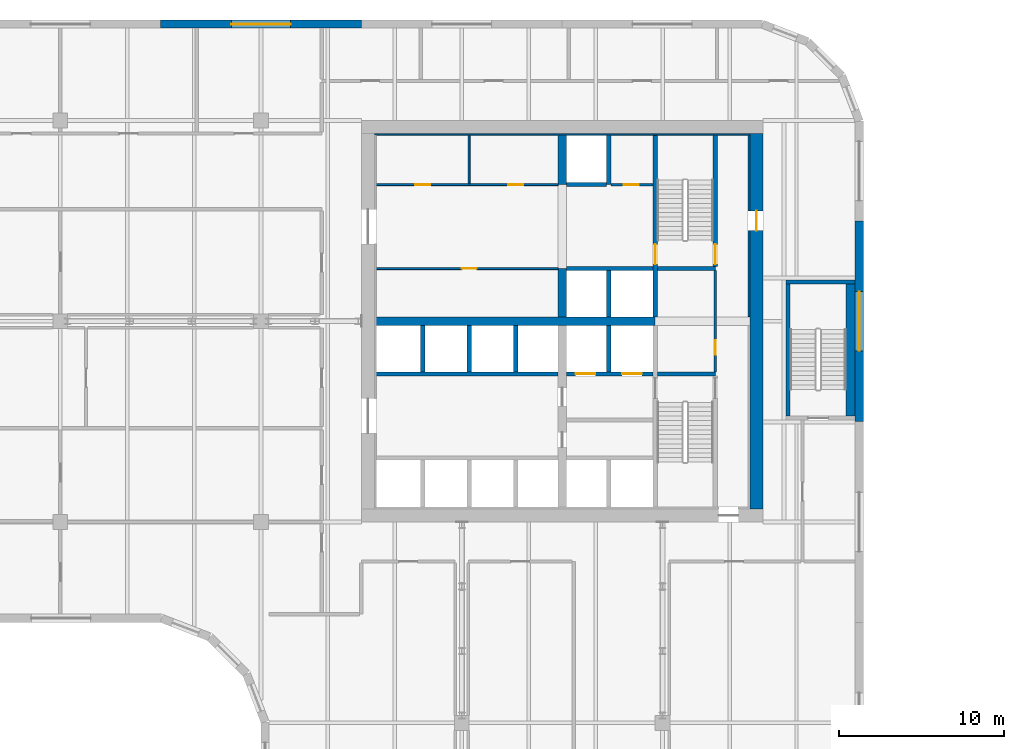
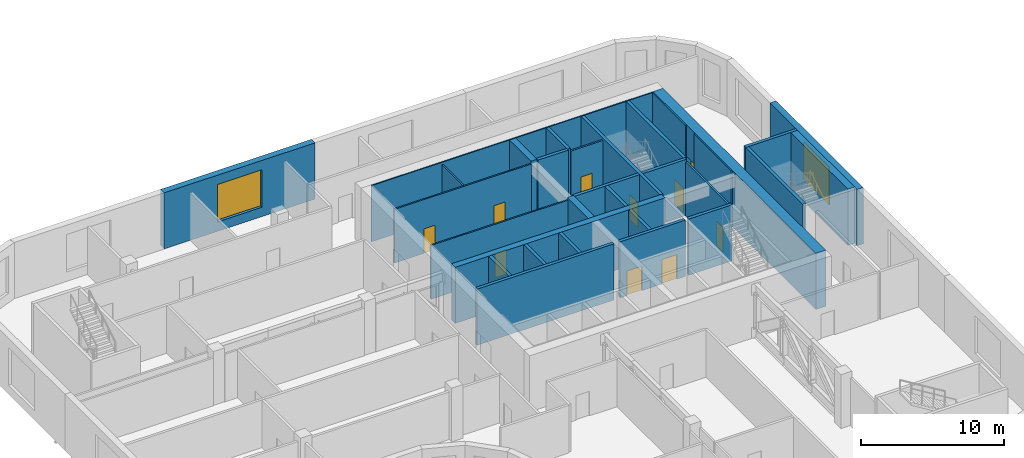
# One storey, part 12 of 21: 31 walls, 10 doors, 2 windows, 12 openings.
"""IFC4 building model written with IfcOpenShell, lengths in metres."""

from ifc_helpers import new_model, si_unit, direction, frame, frame_2d, origin, place, context, subcontext, project, spatial, polyline, rectangle, outline, extrude, source, transform, mapped, material, layer, layer_set, type_object, element, fill, save


model = new_model("IFC4")

# Units and contexts
model_context = context("Model", 3, precision=1e-05, world=origin(), true_north=direction((0.0, 1.0)))
body_context = subcontext(model_context, "Body", "Model", "MODEL_VIEW")
ifc_project = project(units=[si_unit("LENGTHUNIT", "METRE"), si_unit("AREAUNIT", "SQUARE_METRE"), si_unit("VOLUMEUNIT", "CUBIC_METRE"), si_unit("PLANEANGLEUNIT", "RADIAN"), si_unit("MASSUNIT", "GRAM", prefix="KILO")], contexts=[model_context])

# Site, building, storey
site_placement = place(None, origin())
site = spatial("IfcSite", under=ifc_project, at=site_placement, CompositionType="ELEMENT")
building_placement = place(site_placement, origin())
building = spatial("IfcBuilding", under=site, at=building_placement, Name="Tessera Gate Towers", CompositionType="ELEMENT")
storey_placement = place(building_placement, frame((0.0, 0.0, 63.800048828125)))
storey = spatial("IfcBuildingStorey", under=building, at=storey_placement, Name="L15", CompositionType="ELEMENT", Elevation=63.800048828125)

# Wall, opening, door
ifc_material_1 = material(Name="Concrete C40/50", Category="concrete")
ifc_layer_1 = layer(ifc_material_1, 0.25)
ifc_layer_set_1 = layer_set([ifc_layer_1], Name="CORE ENCLOSURE WALL 250")
wall_type_1 = type_object("IfcWallType", Name="CORE ENCLOSURE WALL 250", PredefinedType="SOLIDWALL", material=ifc_layer_set_1)
wall_1_placement = place(storey_placement, frame((48.35009765625, 47.89990234375, 0.0), z_axis=(0.0, 0.0, 1.0), x_axis=(0.0, -1.0, 0.0)))
wall_1 = element("IfcWall", 1, at=wall_1_placement, inside=storey, type_object=wall_type_1, Name="L15 shaft and stair enclosure wall", PredefinedType="SOLIDWALL", context=body_context, shape_type="SweptSolid", body=[
    extrude(rectangle(XDim=11.0498046875, YDim=0.25, at=frame_2d((5.52490234375, 0.0))), origin(), (0.0, 0.0, 1.0), 4.800048828125),
])
shared_shape_1 = source(origin(), body_context, "Body", "SweptSolid", [
    extrude(rectangle(XDim=1.199951171875, YDim=2.10009765625, at=frame_2d((0.60009765625, 1.050048828125))), frame((0.0, 0.135009765625, 0.0), z_axis=(0.0, -1.0, 0.0), x_axis=(1.0, 0.0, 0.0)), (0.0, 0.0, 1.0), 0.27001953125),
])
opening_1_placement = place(wall_1_placement, frame((6.625, 0.0, 0.0)))
opening_1 = element("IfcOpeningElement", 2, at=opening_1_placement, cuts=wall_1, Name="Opening SD-ST2-1", PredefinedType="OPENING", context=body_context, shape_type="MappedRepresentation", body=[
    mapped(shared_shape_1, transform((0.0, 0.0, 0.0), scale=1.0)),
])
ifc_material_2 = material(Name="Hollow steel fire door", Category="steel")
door_type_1 = type_object("IfcDoorType", Name="CORE DOOR SD 1200x2100", OperationType="NOTDEFINED", PredefinedType="DOOR", material=ifc_material_2)
shared_shape_2 = source(origin(), body_context, "Body", "SweptSolid", [
    extrude(rectangle(XDim=1.199951171875, YDim=2.10009765625, at=frame_2d((0.60009765625, 1.050048828125))), frame((0.0, 0.02490234375, 0.0), z_axis=(0.0, -1.0, 0.0), x_axis=(1.0, 0.0, 0.0)), (0.0, 0.0, 1.0), 0.050048828125),
])
door_1_placement = place(opening_1_placement, origin())
door_1 = element("IfcDoor", 3, at=door_1_placement, inside=storey, type_object=door_type_1, Name="Stair door", OperationType="SINGLE_SWING_RIGHT", OverallHeight=2.10009765625, OverallWidth=1.199951171875, PredefinedType="DOOR", context=body_context, shape_type="MappedRepresentation", body=[
    mapped(shared_shape_2, transform((0.0, 0.0, 0.0), scale=1.0)),
])
fill(opening_1, door_1)

# Wall
wall_2_placement = place(storey_placement, frame((31.39990234375, 33.39990234375, 0.0), z_axis=(0.0, 0.0, 1.0), x_axis=(1.0, 0.0, 0.0)))
element("IfcWall", 4, at=wall_2_placement, inside=storey, type_object=wall_type_1, Name="L15 shaft and stair enclosure wall", PredefinedType="SOLIDWALL", context=body_context, shape_type="SweptSolid", body=[
    extrude(rectangle(XDim=11.050048828125, YDim=0.25, at=frame_2d((5.52490234375, 0.0))), origin(), (0.0, 0.0, 1.0), 4.800048828125),
])

# Wall, openings, doors
wall_3_placement = place(storey_placement, frame((48.22509765625, 33.39990234375, 0.0), z_axis=(0.0, 0.0, 1.0), x_axis=(-1.0, 0.0, 0.0)))
wall_3 = element("IfcWall", 5, at=wall_3_placement, inside=storey, type_object=wall_type_1, Name="L15 shaft and stair enclosure wall", PredefinedType="SOLIDWALL", context=body_context, shape_type="SweptSolid", body=[
    extrude(rectangle(XDim=5.275146484375, YDim=0.25, at=frame_2d((2.6376953125, 0.0))), origin(), (0.0, 0.0, 1.0), 4.800048828125),
])
opening_2_placement = place(wall_3_placement, frame((3.512451171875, 0.0, 0.0)))
opening_2 = element("IfcOpeningElement", 6, at=opening_2_placement, cuts=wall_3, Name="Opening LD-FF1", PredefinedType="OPENING", context=body_context, shape_type="MappedRepresentation", body=[
    mapped(shared_shape_1, transform((0.0, 0.0, 0.0), scale=1.0)),
])
opening_3_placement = place(wall_3_placement, frame((0.6875, 0.0, 0.0)))
opening_3 = element("IfcOpeningElement", 7, at=opening_3_placement, cuts=wall_3, Name="Opening LD-FF2", PredefinedType="OPENING", context=body_context, shape_type="MappedRepresentation", body=[
    mapped(shared_shape_1, transform((0.0, 0.0, 0.0), scale=1.0)),
])
ifc_material_3 = material(Name="Stainless steel", Category="steel")
door_type_2 = type_object("IfcDoorType", Name="CORE DOOR LD1200 1200x2100", OperationType="DOUBLE_DOOR_SLIDING", PredefinedType="DOOR", material=ifc_material_3)
door_2_placement = place(opening_2_placement, origin())
door_2 = element("IfcDoor", 8, at=door_2_placement, inside=storey, type_object=door_type_2, Name="Landing door FF1 L15", OperationType="DOUBLE_DOOR_SLIDING", OverallHeight=2.10009765625, OverallWidth=1.199951171875, PredefinedType="DOOR", context=body_context, shape_type="MappedRepresentation", body=[
    mapped(shared_shape_2, transform((0.0, 0.0, 0.0), scale=1.0)),
])
fill(opening_2, door_2)
door_3_placement = place(opening_3_placement, origin())
door_3 = element("IfcDoor", 9, at=door_3_placement, inside=storey, type_object=door_type_2, Name="Landing door FF2 L15", OperationType="DOUBLE_DOOR_SLIDING", OverallHeight=2.10009765625, OverallWidth=1.199951171875, PredefinedType="DOOR", context=body_context, shape_type="MappedRepresentation", body=[
    mapped(shared_shape_2, transform((0.0, 0.0, 0.0), scale=1.0)),
])
fill(opening_3, door_3)

# Walls
wall_4_placement = place(storey_placement, frame((48.47509765625, 33.39990234375, 0.0), z_axis=(0.0, 0.0, 1.0), x_axis=(1.0, 0.0, 0.0)))
element("IfcWall", 10, at=wall_4_placement, inside=storey, type_object=wall_type_1, Name="L15 shaft and stair enclosure wall", PredefinedType="SOLIDWALL", context=body_context, shape_type="SweptSolid", body=[
    extrude(rectangle(XDim=3.52490234375, YDim=0.25, at=frame_2d((1.762451171875, 0.0))), origin(), (0.0, 0.0, 1.0), 4.800048828125),
])
wall_5_placement = place(storey_placement, frame((42.949951171875, 39.800048828125, 0.0), z_axis=(0.0, 0.0, 1.0), x_axis=(1.0, 0.0, 0.0)))
element("IfcWall", 11, at=wall_5_placement, inside=storey, type_object=wall_type_1, Name="L15 shaft and stair enclosure wall", PredefinedType="SOLIDWALL", context=body_context, shape_type="SweptSolid", body=[
    extrude(rectangle(XDim=5.275146484375, YDim=0.25, at=frame_2d((2.6376953125, 0.0))), origin(), (0.0, 0.0, 1.0), 4.800048828125),
])
wall_6_placement = place(storey_placement, frame((48.47509765625, 39.800048828125, 0.0), z_axis=(0.0, 0.0, 1.0), x_axis=(1.0, 0.0, 0.0)))
element("IfcWall", 12, at=wall_6_placement, inside=storey, type_object=wall_type_1, Name="L15 shaft and stair enclosure wall", PredefinedType="SOLIDWALL", context=body_context, shape_type="SweptSolid", body=[
    extrude(rectangle(XDim=3.52490234375, YDim=0.25, at=frame_2d((1.762451171875, 0.0))), origin(), (0.0, 0.0, 1.0), 4.800048828125),
])

# Wall, opening, door
wall_7_placement = place(storey_placement, frame((52.0, 39.925048828125, 0.0), z_axis=(0.0, 0.0, 1.0), x_axis=(0.0, 1.0, 0.0)))
wall_7 = element("IfcWall", 13, at=wall_7_placement, inside=storey, type_object=wall_type_1, Name="L15 shaft and stair enclosure wall", PredefinedType="SOLIDWALL", context=body_context, shape_type="SweptSolid", body=[
    extrude(rectangle(XDim=7.974853515625, YDim=0.25, at=frame_2d((3.9873046875, 0.0))), origin(), (0.0, 0.0, 1.0), 4.800048828125),
])
opening_4_placement = place(wall_7_placement, frame((0.14990234375, 0.0, 0.0)))
opening_4 = element("IfcOpeningElement", 14, at=opening_4_placement, cuts=wall_7, Name="Opening SD-ST2-2", PredefinedType="OPENING", context=body_context, shape_type="MappedRepresentation", body=[
    mapped(shared_shape_1, transform((0.0, 0.0, 0.0), scale=1.0)),
])
door_4_placement = place(opening_4_placement, origin())
door_4 = element("IfcDoor", 15, at=door_4_placement, inside=storey, type_object=door_type_1, Name="Stair door", OperationType="SINGLE_SWING_LEFT", OverallHeight=2.10009765625, OverallWidth=1.199951171875, PredefinedType="DOOR", context=body_context, shape_type="MappedRepresentation", body=[
    mapped(shared_shape_2, transform((0.0, 0.0, 0.0), scale=1.0)),
])
fill(opening_4, door_4)

# Walls
wall_8_placement = place(storey_placement, frame((45.52490234375, 33.52490234375, 0.0), z_axis=(0.0, 0.0, 1.0), x_axis=(0.0, 1.0, 0.0)))
element("IfcWall", 16, at=wall_8_placement, inside=storey, type_object=wall_type_1, Name="L15 shaft and stair enclosure wall", PredefinedType="SOLIDWALL", context=body_context, shape_type="SweptSolid", body=[
    extrude(rectangle(XDim=2.8251953125, YDim=0.25, at=frame_2d((1.41259765625, 0.0))), origin(), (0.0, 0.0, 1.0), 4.800048828125),
])
wall_9_placement = place(storey_placement, frame((45.52490234375, 36.85009765625, 0.0), z_axis=(0.0, 0.0, 1.0), x_axis=(0.0, 1.0, 0.0)))
element("IfcWall", 17, at=wall_9_placement, inside=storey, type_object=wall_type_1, Name="L15 shaft and stair enclosure wall", PredefinedType="SOLIDWALL", context=body_context, shape_type="SweptSolid", body=[
    extrude(rectangle(XDim=2.824951171875, YDim=0.25, at=frame_2d((1.41259765625, 0.0))), origin(), (0.0, 0.0, 1.0), 4.800048828125),
])
for number, where, z_axis, x_axis, name in (
    (18, (34.22509765625, 33.52490234375, 0.0), (0.0, 0.0, 1.0), (0.0, 1.0, 0.0), "L15 shaft and stair enclosure wall"),
    (19, (37.050048828125, 33.52490234375, 0.0), (0.0, 0.0, 1.0), (0.0, 1.0, 0.0), "L15 shaft and stair enclosure wall"),
    (20, (39.875, 33.52490234375, 0.0), (0.0, 0.0, 1.0), (0.0, 1.0, 0.0), "L15 shaft and stair enclosure wall"),
):
    element("IfcWall", number, at=place(storey_placement, frame(where, z_axis=z_axis, x_axis=x_axis)), inside=storey, type_object=wall_type_1, Name=name, PredefinedType="SOLIDWALL", context=body_context, shape_type="SweptSolid", body=[
        extrude(rectangle(XDim=2.8251953125, YDim=0.25, at=frame_2d((1.41259765625, 0.0))), origin(), (0.0, 0.0, 1.0), 4.800048828125),
    ])
wall_10_placement = place(storey_placement, frame((45.52490234375, 44.89990234375, 0.0), z_axis=(0.0, 0.0, 1.0), x_axis=(0.0, 1.0, 0.0)))
element("IfcWall", 21, at=wall_10_placement, inside=storey, type_object=wall_type_1, Name="L15 shaft and stair enclosure wall", PredefinedType="SOLIDWALL", context=body_context, shape_type="SweptSolid", body=[
    extrude(rectangle(XDim=3.0, YDim=0.25, at=frame_2d((1.5, 0.0))), origin(), (0.0, 0.0, 1.0), 4.800048828125),
])
wall_11_placement = place(storey_placement, frame((42.949951171875, 44.89990234375, 0.0), z_axis=(0.0, 0.0, 1.0), x_axis=(1.0, 0.0, 0.0)))
element("IfcWall", 22, at=wall_11_placement, inside=storey, type_object=wall_type_1, Name="L15 shaft and stair enclosure wall", PredefinedType="SOLIDWALL", context=body_context, shape_type="SweptSolid", body=[
    extrude(rectangle(XDim=2.449951171875, YDim=0.25, at=frame_2d((1.22509765625, 0.0))), origin(), (0.0, 0.0, 1.0), 4.800048828125),
])
wall_12_placement = place(storey_placement, frame((56.425048828125, 30.85009765625, 0.0), z_axis=(0.0, 0.0, 1.0), x_axis=(0.0, 1.0, 0.0)))
element("IfcWall", 23, at=wall_12_placement, inside=storey, type_object=wall_type_1, Name="L15 ST5 enclosure wall", PredefinedType="SOLIDWALL", context=body_context, shape_type="SweptSolid", body=[
    extrude(rectangle(XDim=8.0, YDim=0.25, at=frame_2d((4.0, 0.0))), origin(), (0.0, 0.0, 1.0), 4.800048828125),
])
wall_13_placement = place(storey_placement, frame((56.300048828125, 38.97509765625, 0.0), z_axis=(0.0, 0.0, 1.0), x_axis=(1.0, 0.0, 0.0)))
element("IfcWall", 24, at=wall_13_placement, inside=storey, type_object=wall_type_1, Name="L15 ST5 enclosure wall", PredefinedType="SOLIDWALL", context=body_context, shape_type="SweptSolid", body=[
    extrude(rectangle(XDim=4.199951171875, YDim=0.25, at=frame_2d((2.10009765625, 0.0))), origin(), (0.0, 0.0, 1.0), 4.800048828125),
])
ifc_material_4 = material(Name="Concrete C40/50", Category="concrete")
ifc_layer_2 = layer(ifc_material_4, 0.550048828125)
ifc_layer_set_2 = layer_set([ifc_layer_2], Name="CORE ENCLOSURE WALL 550")
wall_type_2 = type_object("IfcWallType", Name="CORE ENCLOSURE WALL 550", PredefinedType="SOLIDWALL", material=ifc_layer_set_2)
wall_14_placement = place(storey_placement, frame((60.22509765625, 38.85009765625, 0.0), z_axis=(0.0, 0.0, 1.0), x_axis=(0.0, -1.0, 0.0)))
element("IfcWall", 25, at=wall_14_placement, inside=storey, type_object=wall_type_2, Name="L15 ST5 enclosure wall", PredefinedType="SOLIDWALL", context=body_context, shape_type="SweptSolid", body=[
    extrude(rectangle(XDim=8.0, YDim=0.550048828125, at=frame_2d((4.0, 0.0))), origin(), (0.0, 0.0, 1.0), 4.800048828125),
])

# Wall, opening, door
ifc_material_5 = material(Name="Gypsum board on steel studs", Category="steel")
ifc_layer_3 = layer(ifc_material_5, 0.1201171875)
ifc_layer_set_3 = layer_set([ifc_layer_3], Name="CORE PARTITION 120")
wall_type_3 = type_object("IfcWallType", Name="CORE PARTITION 120", PredefinedType="PARTITIONING", material=ifc_layer_set_3)
wall_15_placement = place(storey_placement, frame((42.449951171875, 39.800048828125, 0.0), z_axis=(0.0, 0.0, 1.0), x_axis=(-1.0, 0.0, 0.0)))
wall_15 = element("IfcWall", 26, at=wall_15_placement, inside=storey, type_object=wall_type_3, Name="L15 core partition", PredefinedType="PARTITIONING", context=body_context, shape_type="SweptSolid", body=[
    extrude(rectangle(XDim=11.050048828125, YDim=0.1201171875, at=frame_2d((5.52490234375, 0.0))), origin(), (0.0, 0.0, 1.0), 4.599853515625),
])
shared_shape_3 = source(origin(), body_context, "Body", "SweptSolid", [
    extrude(rectangle(XDim=0.89990234375, YDim=2.10009765625, at=frame_2d((0.449951171875, 1.050048828125))), frame((0.0, 0.070068359375, 0.0), z_axis=(0.0, -1.0, 0.0), x_axis=(1.0, 0.0, 0.0)), (0.0, 0.0, 1.0), 0.14013671875),
])
opening_5_placement = place(wall_15_placement, frame((4.949951171875, 0.0, 0.0)))
opening_5 = element("IfcOpeningElement", 27, at=opening_5_placement, cuts=wall_15, Name="Opening RD-T1-11-07", PredefinedType="OPENING", context=body_context, shape_type="MappedRepresentation", body=[
    mapped(shared_shape_3, transform((0.0, 0.0, 0.0), scale=1.0)),
])
ifc_material_6 = material(Name="Hollow steel fire door", Category="steel")
door_type_3 = type_object("IfcDoorType", Name="CORE DOOR RD 900x2100", OperationType="NOTDEFINED", PredefinedType="DOOR", material=ifc_material_6)
shared_shape_4 = source(origin(), body_context, "Body", "SweptSolid", [
    extrude(rectangle(XDim=0.89990234375, YDim=2.10009765625, at=frame_2d((0.449951171875, 1.050048828125))), frame((0.0, 0.02490234375, 0.0), z_axis=(0.0, -1.0, 0.0), x_axis=(1.0, 0.0, 0.0)), (0.0, 0.0, 1.0), 0.050048828125),
])
door_5_placement = place(opening_5_placement, origin())
door_5 = element("IfcDoor", 28, at=door_5_placement, inside=storey, type_object=door_type_3, Name="Core room door", OperationType="SINGLE_SWING_LEFT", OverallHeight=2.10009765625, OverallWidth=0.89990234375, PredefinedType="DOOR", context=body_context, shape_type="MappedRepresentation", body=[
    mapped(shared_shape_4, transform((0.0, 0.0, 0.0), scale=1.0)),
])
fill(opening_5, door_5)

# Wall, openings, doors
wall_16_placement = place(storey_placement, frame((31.39990234375, 44.89990234375, 0.0), z_axis=(0.0, 0.0, 1.0), x_axis=(1.0, 0.0, 0.0)))
wall_16 = element("IfcWall", 29, at=wall_16_placement, inside=storey, type_object=wall_type_3, Name="L15 core partition", PredefinedType="PARTITIONING", context=body_context, shape_type="SweptSolid", body=[
    extrude(rectangle(XDim=11.050048828125, YDim=0.1201171875, at=frame_2d((5.52490234375, 0.0))), origin(), (0.0, 0.0, 1.0), 4.599853515625),
])
opening_6_placement = place(wall_16_placement, frame((2.375, 0.0, 0.0)))
opening_6 = element("IfcOpeningElement", 30, at=opening_6_placement, cuts=wall_16, Name="Opening RD-T1-11-08", PredefinedType="OPENING", context=body_context, shape_type="MappedRepresentation", body=[
    mapped(shared_shape_3, transform((0.0, 0.0, 0.0), scale=1.0)),
])
opening_7_placement = place(wall_16_placement, frame((8.02490234375, 0.0, 0.0)))
opening_7 = element("IfcOpeningElement", 31, at=opening_7_placement, cuts=wall_16, Name="Opening RD-T1-11-09", PredefinedType="OPENING", context=body_context, shape_type="MappedRepresentation", body=[
    mapped(shared_shape_3, transform((0.0, 0.0, 0.0), scale=1.0)),
])
door_6_placement = place(opening_6_placement, origin())
door_6 = element("IfcDoor", 32, at=door_6_placement, inside=storey, type_object=door_type_3, Name="Core room door", OperationType="SINGLE_SWING_LEFT", OverallHeight=2.10009765625, OverallWidth=0.89990234375, PredefinedType="DOOR", context=body_context, shape_type="MappedRepresentation", body=[
    mapped(shared_shape_4, transform((0.0, 0.0, 0.0), scale=1.0)),
])
fill(opening_6, door_6)
door_7_placement = place(opening_7_placement, origin())
door_7 = element("IfcDoor", 33, at=door_7_placement, inside=storey, type_object=door_type_3, Name="Core room door", OperationType="SINGLE_SWING_RIGHT", OverallHeight=2.10009765625, OverallWidth=0.89990234375, PredefinedType="DOOR", context=body_context, shape_type="MappedRepresentation", body=[
    mapped(shared_shape_4, transform((0.0, 0.0, 0.0), scale=1.0)),
])
fill(opening_7, door_7)

# Wall
wall_17_placement = place(storey_placement, frame((37.050048828125, 44.9599609375, 0.0), z_axis=(0.0, 0.0, 1.0), x_axis=(0.0, 1.0, 0.0)))
element("IfcWall", 34, at=wall_17_placement, inside=storey, type_object=wall_type_3, Name="L15 core partition", PredefinedType="PARTITIONING", context=body_context, shape_type="SweptSolid", body=[
    extrude(rectangle(XDim=2.93994140625, YDim=0.1201171875, at=frame_2d((1.469970703125, 0.0))), origin(), (0.0, 0.0, 1.0), 4.599853515625),
])

# Wall, opening, door
ifc_material_7 = material(Name="Concrete C60/75", Category="concrete")
ifc_layer_4 = layer(ifc_material_7, 0.800048828125)
ifc_layer_set_4 = layer_set([ifc_layer_4], Name="CORE SHEAR WALL 800 C60/75")
wall_type_4 = type_object("IfcWallType", Name="CORE SHEAR WALL 800 C60/75", PredefinedType="SHEAR", material=ifc_layer_set_4)
wall_18_placement = place(storey_placement, frame((54.5, 48.0, 0.0), z_axis=(0.0, 0.0, 1.0), x_axis=(0.0, -1.0, 0.0)))
wall_18 = element("IfcWall", 35, at=wall_18_placement, inside=storey, type_object=wall_type_4, Name="Core wall E L15", PredefinedType="SHEAR", context=body_context, shape_type="SweptSolid", body=[
    extrude(rectangle(XDim=22.800048828125, YDim=0.800048828125, at=frame_2d((11.39990234375, 0.0))), origin(), (0.0, 0.0, 1.0), 4.800048828125),
])
shared_shape_5 = source(origin(), body_context, "Body", "SweptSolid", [
    extrude(rectangle(XDim=1.199951171875, YDim=2.10009765625, at=frame_2d((0.60009765625, 1.050048828125))), frame((0.0, 0.409912109375, 0.0), z_axis=(0.0, -1.0, 0.0), x_axis=(1.0, 0.0, 0.0)), (0.0, 0.0, 1.0), 0.820068359375),
])
opening_8_placement = place(wall_18_placement, frame((4.699951171875, 0.0, 0.0)))
opening_8 = element("IfcOpeningElement", 36, at=opening_8_placement, cuts=wall_18, Name="Opening ED-T1-11-04", PredefinedType="OPENING", context=body_context, shape_type="MappedRepresentation", body=[
    mapped(shared_shape_5, transform((0.0, 0.0, 0.0), scale=1.0)),
])
ifc_material_8 = material(Name="Hollow steel fire door", Category="steel")
door_type_4 = type_object("IfcDoorType", Name="CORE DOOR ED 1200x2100", OperationType="NOTDEFINED", PredefinedType="DOOR", material=ifc_material_8)
door_8_placement = place(opening_8_placement, origin())
door_8 = element("IfcDoor", 37, at=door_8_placement, inside=storey, type_object=door_type_4, Name="Core exit door", OperationType="SINGLE_SWING_LEFT", OverallHeight=2.10009765625, OverallWidth=1.199951171875, PredefinedType="DOOR", context=body_context, shape_type="MappedRepresentation", body=[
    mapped(shared_shape_2, transform((0.0, 0.0, 0.0), scale=1.0)),
])
fill(opening_8, door_8)

# Walls
ifc_material_9 = material(Name="Concrete C60/75", Category="concrete")
ifc_layer_5 = layer(ifc_material_9, 0.5)
ifc_layer_set_5 = layer_set([ifc_layer_5], Name="CORE SPINE WALL 500 C60/75")
wall_type_5 = type_object("IfcWallType", Name="CORE SPINE WALL 500 C60/75", PredefinedType="SHEAR", material=ifc_layer_set_5)
wall_19_placement = place(storey_placement, frame((31.39990234375, 36.60009765625, 0.0), z_axis=(0.0, 0.0, 1.0), x_axis=(1.0, 0.0, 0.0)))
element("IfcWall", 38, at=wall_19_placement, inside=storey, type_object=wall_type_5, Name="Core wall spine L15", PredefinedType="SHEAR", context=body_context, shape_type="SweptSolid", body=[
    extrude(rectangle(XDim=16.9501953125, YDim=0.5, at=frame_2d((8.47509765625, 0.0))), origin(), (0.0, 0.0, 1.0), 4.800048828125),
])
wall_20_placement = place(storey_placement, frame((42.699951171875, 36.85009765625, 0.0), z_axis=(0.0, 0.0, 1.0), x_axis=(0.0, 1.0, 0.0)))
element("IfcWall", 39, at=wall_20_placement, inside=storey, type_object=wall_type_5, Name="Core wall spine L15", PredefinedType="SHEAR", context=body_context, shape_type="SweptSolid", body=[
    extrude(rectangle(XDim=2.949951171875, YDim=0.5, at=frame_2d((1.47509765625, 0.0))), origin(), (0.0, 0.0, 1.0), 4.800048828125),
])
wall_21_placement = place(storey_placement, frame((42.699951171875, 44.89990234375, 0.0), z_axis=(0.0, 0.0, 1.0), x_axis=(0.0, 1.0, 0.0)))
element("IfcWall", 40, at=wall_21_placement, inside=storey, type_object=wall_type_5, Name="Core wall spine L15", PredefinedType="SHEAR", context=body_context, shape_type="SweptSolid", body=[
    extrude(rectangle(XDim=3.0, YDim=0.5, at=frame_2d((1.5, 0.0))), origin(), (0.0, 0.0, 1.0), 4.800048828125),
])
ifc_material_10 = material(Name="Concrete C60/75", Category="concrete")
ifc_layer_6 = layer(ifc_material_10, 0.10009765625)
ifc_layer_set_6 = layer_set([ifc_layer_6], Name="CORE WALL THICKENING 100")
wall_type_6 = type_object("IfcWallType", Name="CORE WALL THICKENING 100", PredefinedType="SOLIDWALL", material=ifc_layer_set_6)
wall_22_placement = place(storey_placement, frame((31.300048828125, 47.949951171875, 0.0), z_axis=(0.0, 0.0, 1.0), x_axis=(1.0, 0.0, 0.0)))
element("IfcWall", 41, at=wall_22_placement, inside=storey, type_object=wall_type_6, Name="Core wall thickening N L15", PredefinedType="SOLIDWALL", context=body_context, shape_type="SweptSolid", body=[
    extrude(rectangle(XDim=22.800048828125, YDim=0.10009765625, at=frame_2d((11.39990234375, 0.0))), origin(), (0.0, 0.0, 1.0), 4.800048828125),
])
wall_23_placement = place(storey_placement, frame((54.050048828125, 36.8798828125, 0.0), z_axis=(0.0, 0.0, 1.0), x_axis=(0.0, 1.0, 0.0)))
element("IfcWall", 42, at=wall_23_placement, inside=storey, type_object=wall_type_6, Name="Core wall thickening E L15", PredefinedType="SOLIDWALL", context=body_context, shape_type="SweptSolid", body=[
    extrude(rectangle(XDim=5.22021484375, YDim=0.10009765625, at=frame_2d((2.610107421875, 0.0))), origin(), (0.0, 0.0, 1.0), 4.800048828125),
])
wall_24_placement = place(storey_placement, frame((54.050048828125, 43.300048828125, 0.0), z_axis=(0.0, 0.0, 1.0), x_axis=(0.0, 1.0, 0.0)))
element("IfcWall", 43, at=wall_24_placement, inside=storey, type_object=wall_type_6, Name="Core wall thickening E L15", PredefinedType="SOLIDWALL", context=body_context, shape_type="SweptSolid", body=[
    extrude(rectangle(XDim=4.599853515625, YDim=0.10009765625, at=frame_2d((2.2998046875, 0.0))), origin(), (0.0, 0.0, 1.0), 4.800048828125),
])

# Wall, opening, door
ifc_material_11 = material(Name="Gypsum board on steel studs", Category="steel")
ifc_layer_7 = layer(ifc_material_11, 0.14990234375)
ifc_layer_set_7 = layer_set([ifc_layer_7], Name="SERVICE ROOM WALL 150")
wall_type_7 = type_object("IfcWallType", Name="SERVICE ROOM WALL 150", PredefinedType="PARTITIONING", material=ifc_layer_set_7)
wall_25_placement = place(storey_placement, frame((52.0, 33.52490234375, 0.0), z_axis=(0.0, 0.0, 1.0), x_axis=(0.0, 1.0, 0.0)))
wall_25 = element("IfcWall", 44, at=wall_25_placement, inside=storey, type_object=wall_type_7, Name="L15 service room wall", PredefinedType="PARTITIONING", context=body_context, shape_type="SweptSolid", body=[
    extrude(rectangle(XDim=6.150146484375, YDim=0.14990234375, at=frame_2d((3.0751953125, 0.0))), origin(), (0.0, 0.0, 1.0), 4.599853515625),
])
shared_shape_6 = source(origin(), body_context, "Body", "SweptSolid", [
    extrude(rectangle(XDim=0.89990234375, YDim=2.10009765625, at=frame_2d((0.449951171875, 1.050048828125))), frame((0.0, 0.0849609375, 0.0), z_axis=(0.0, -1.0, 0.0), x_axis=(1.0, 0.0, 0.0)), (0.0, 0.0, 1.0), 0.169921875),
])
opening_9_placement = place(wall_25_placement, frame((1.02490234375, 0.0, 0.0)))
opening_9 = element("IfcOpeningElement", 45, at=opening_9_placement, cuts=wall_25, Name="Opening RD-T1-11-10", PredefinedType="OPENING", context=body_context, shape_type="MappedRepresentation", body=[
    mapped(shared_shape_6, transform((0.0, 0.0, 0.0), scale=1.0)),
])
door_9_placement = place(opening_9_placement, origin())
door_9 = element("IfcDoor", 46, at=door_9_placement, inside=storey, type_object=door_type_3, Name="Core room door", OperationType="SINGLE_SWING_LEFT", OverallHeight=2.10009765625, OverallWidth=0.89990234375, PredefinedType="DOOR", context=body_context, shape_type="MappedRepresentation", body=[
    mapped(shared_shape_4, transform((0.0, 0.0, 0.0), scale=1.0)),
])
fill(opening_9, door_9)

wall_26_placement = place(storey_placement, frame((45.64990234375, 44.89990234375, 0.0), z_axis=(0.0, 0.0, 1.0), x_axis=(1.0, 0.0, 0.0)))
wall_26 = element("IfcWall", 47, at=wall_26_placement, inside=storey, type_object=wall_type_7, Name="L15 service room wall", PredefinedType="PARTITIONING", context=body_context, shape_type="SweptSolid", body=[
    extrude(rectangle(XDim=2.5751953125, YDim=0.14990234375, at=frame_2d((1.28759765625, 0.0))), origin(), (0.0, 0.0, 1.0), 4.599853515625),
])
opening_10_placement = place(wall_26_placement, frame((0.800048828125, 0.0, 0.0)))
opening_10 = element("IfcOpeningElement", 48, at=opening_10_placement, cuts=wall_26, Name="Opening RD-T1-11-11", PredefinedType="OPENING", context=body_context, shape_type="MappedRepresentation", body=[
    mapped(shared_shape_6, transform((0.0, 0.0, 0.0), scale=1.0)),
])
door_10_placement = place(opening_10_placement, origin())
door_10 = element("IfcDoor", 49, at=door_10_placement, inside=storey, type_object=door_type_3, Name="Core room door", OperationType="SINGLE_SWING_LEFT", OverallHeight=2.10009765625, OverallWidth=0.89990234375, PredefinedType="DOOR", context=body_context, shape_type="MappedRepresentation", body=[
    mapped(shared_shape_4, transform((0.0, 0.0, 0.0), scale=1.0)),
])
fill(opening_10, door_10)

# Wall, opening, window
ifc_material_12 = material(Name="Precast concrete C60/75 white", Category="concrete")
ifc_layer_8 = layer(ifc_material_12, 0.5)
ifc_layer_set_8 = layer_set([ifc_layer_8], Name="RB1 ring band panel")
wall_type_8 = type_object("IfcWallType", Name="RB1 ring band panel", PredefinedType="SOLIDWALL", material=ifc_layer_set_8)
shared_shape_7 = source(origin(), body_context, "Body", "SweptSolid", [
    extrude(outline(polyline([(0.0, 0.0), (12.199951171875, 0.0), (12.199951171875, 4.800048828125), (0.0, 4.800048828125), (0.0, 0.0)])), frame((0.0, 0.25, 0.0), z_axis=(0.0, -1.0, 0.0), x_axis=(1.0, 0.0, 0.0)), (0.0, 0.0, 1.0), 0.5),
])
wall_27_placement = place(storey_placement, frame((60.75, 30.5, 0.0), z_axis=(0.0, 0.0, 1.0), x_axis=(0.0, 1.0, 0.0)))
wall_27 = element("IfcWall", 50, at=wall_27_placement, inside=storey, type_object=wall_type_8, Name="Ring band panel T1 RB1-0008", PredefinedType="SOLIDWALL", context=body_context, shape_type="MappedRepresentation", body=[
    mapped(shared_shape_7, transform((0.0, 0.0, 0.0), scale=1.0)),
])
shared_shape_8 = source(origin(), body_context, "Body", "SweptSolid", [
    extrude(outline(polyline([(4.300048828125, 0.800048828125), (7.89990234375, 0.800048828125), (7.89990234375, 4.0), (4.300048828125, 4.0), (4.300048828125, 0.800048828125)])), frame((0.0, 0.260009765625, 0.0), z_axis=(0.0, -1.0, 0.0), x_axis=(1.0, 0.0, 0.0)), (0.0, 0.0, 1.0), 0.52001953125),
])
opening_11_placement = place(wall_27_placement, origin())
opening_11 = element("IfcOpeningElement", 51, at=opening_11_placement, cuts=wall_27, Name="Opening T1-WN-LV1-0008", PredefinedType="OPENING", context=body_context, shape_type="MappedRepresentation", body=[
    mapped(shared_shape_8, transform((0.0, 0.0, 0.0), scale=1.0)),
])
ifc_material_13 = material(Name="Aluminium louvre", Category="aluminium")
ifc_layer_9 = layer(ifc_material_13, 0.06005859375)
ifc_layer_set_9 = layer_set([ifc_layer_9], Name="LV1 louvre")
window_type = type_object("IfcWindowType", Name="LV1 louvre", PartitioningType="USERDEFINED", PredefinedType="WINDOW", material=ifc_layer_set_9)
shared_shape_9 = source(origin(), body_context, "Body", "SweptSolid", [
    extrude(outline(polyline([(4.300048828125, 0.800048828125), (7.89990234375, 0.800048828125), (7.89990234375, 4.0), (4.300048828125, 4.0), (4.300048828125, 0.800048828125)])), frame((0.0, 0.030029296875, 0.0), z_axis=(0.0, -1.0, 0.0), x_axis=(1.0, 0.0, 0.0)), (0.0, 0.0, 1.0), 0.06005859375),
])
window_1_placement = place(opening_11_placement, origin())
window_1 = element("IfcWindow", 52, at=window_1_placement, inside=storey, type_object=window_type, Name="Louvre T1 WN-LV1-0008", OverallHeight=3.199951171875, OverallWidth=3.599853515625, PartitioningType="USERDEFINED", PredefinedType="WINDOW", context=body_context, shape_type="MappedRepresentation", body=[
    mapped(shared_shape_9, transform((0.0, 0.0, 0.0), scale=1.0)),
])
fill(opening_11, window_1)

wall_28_placement = place(storey_placement, frame((30.5, 54.64990234375, 0.0), z_axis=(0.0, 0.0, 1.0), x_axis=(-1.0, 0.0, 0.0)))
wall_28 = element("IfcWall", 53, at=wall_28_placement, inside=storey, type_object=wall_type_8, Name="Ring band panel T1 RB1-0015", PredefinedType="SOLIDWALL", context=body_context, shape_type="MappedRepresentation", body=[
    mapped(shared_shape_7, transform((0.0, 0.0, 0.0), scale=1.0)),
])
opening_12_placement = place(wall_28_placement, origin())
opening_12 = element("IfcOpeningElement", 54, at=opening_12_placement, cuts=wall_28, Name="Opening T1-WN-LV1-0015", PredefinedType="OPENING", context=body_context, shape_type="MappedRepresentation", body=[
    mapped(shared_shape_8, transform((0.0, 0.0, 0.0), scale=1.0)),
])
window_2_placement = place(opening_12_placement, origin())
window_2 = element("IfcWindow", 55, at=window_2_placement, inside=storey, type_object=window_type, Name="Louvre T1 WN-LV1-0015", OverallHeight=3.199951171875, OverallWidth=3.599853515625, PartitioningType="USERDEFINED", PredefinedType="WINDOW", context=body_context, shape_type="MappedRepresentation", body=[
    mapped(shared_shape_9, transform((0.0, 0.0, 0.0), scale=1.0)),
])
fill(opening_12, window_2)

save(model, "model.ifc")
